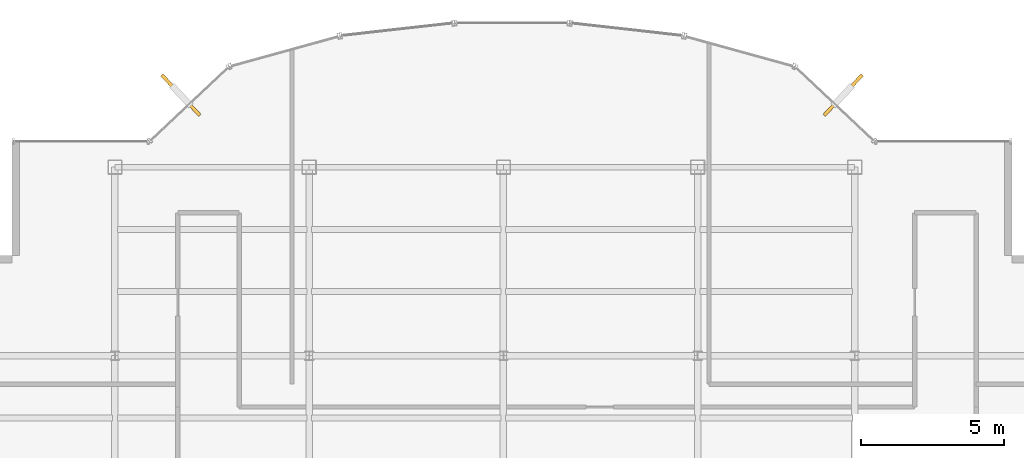
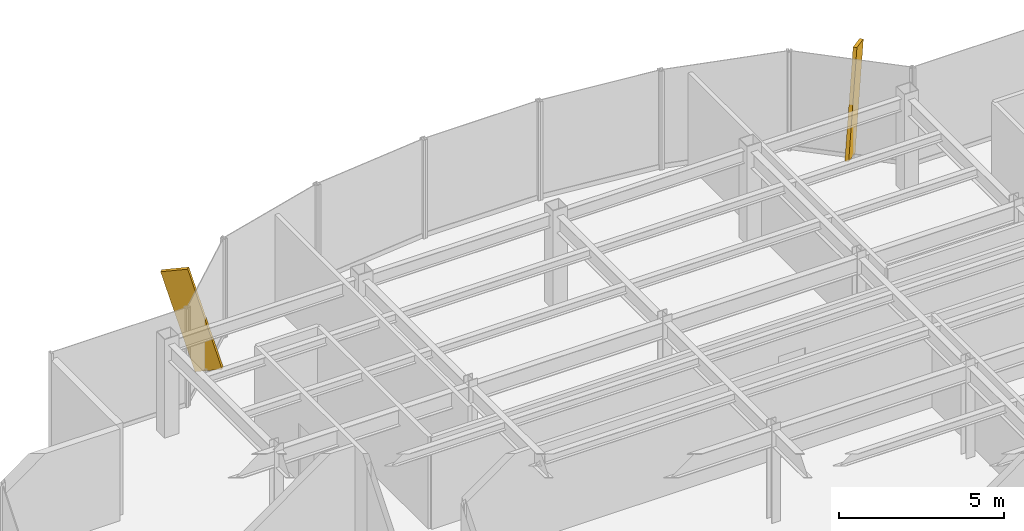
# One storey, part 21 of 22: 2 shading devices.
"""IFC4 building model written with IfcOpenShell, lengths in metres."""

from ifc_helpers import new_model, si_unit, derived_unit, direction, frame, origin, origin_2d, place, context, subcontext, project, spatial, rectangle, extrude, source, transform, mapped, material, type_object, element, save


model = new_model("IFC4")

# Units and contexts
model_context = context("Model", 3, precision=1e-05, world=origin(), true_north=direction((0.0, 1.0)))
body_context = subcontext(model_context, "Body", "Model", "MODEL_VIEW")
ifc_project = project(units=[si_unit("LENGTHUNIT", "METRE"), si_unit("AREAUNIT", "SQUARE_METRE"), si_unit("VOLUMEUNIT", "CUBIC_METRE"), si_unit("PLANEANGLEUNIT", "RADIAN"), si_unit("MASSUNIT", "GRAM", prefix="KILO"), derived_unit("THERMALTRANSMITTANCEUNIT", [(si_unit("POWERUNIT", "WATT"), 1), (si_unit("LENGTHUNIT", "METRE"), -2), (si_unit("THERMODYNAMICTEMPERATUREUNIT", "KELVIN"), -1)])], contexts=[model_context])

# Site, building, storey
site_placement = place(None, origin())
site = spatial("IfcSite", under=ifc_project, at=site_placement, CompositionType="ELEMENT")
building_placement = place(site_placement, origin())
building = spatial("IfcBuilding", under=site, at=building_placement, Name="Skarnbrae Concourse Arena and Tower", CompositionType="ELEMENT")
storey_placement = place(building_placement, frame((0.0, 0.0, 266.10009765625)))
storey = spatial("IfcBuildingStorey", under=building, at=storey_placement, Name="L69", CompositionType="ELEMENT", Elevation=266.10009765625)

# Shading devices
ifc_material = material(Name="Bronze anodised aluminium 6063-T6", Category="aluminium")
shading_device_type = type_object("IfcShadingDeviceType", Name="SHD-BRONZE-FIN-900", PredefinedType="USERDEFINED", material=ifc_material)
shared_shape = source(origin(), body_context, "Body", "SweptSolid", [
    extrude(rectangle(XDim=0.1201171875, YDim=0.89990234375, at=origin_2d()), origin(), (0.0, 0.0, 1.0), 3.64990234375),
])
for number, where, z_axis, x_axis, name in (
    (1, (32.719482421875, 36.522705078125, 0.0830078125), (0.204517004551, 0.217255972062, 0.954448865814), (0.728131751529, -0.685437198009, 0.0), "L69 Outward-leaning bronze shading fin 08"),
    (2, (10.280517578125, 36.522705078125, 0.0830078125), (-0.204517004551, 0.217255972062, 0.954448865814), (0.728131751529, 0.685437198009, 0.0), "L69 Outward-leaning bronze shading fin 14"),
):
    element("IfcShadingDevice", number, at=place(storey_placement, frame(where, z_axis=z_axis, x_axis=x_axis)), inside=storey, type_object=shading_device_type, Name=name, ObjectType="FIN", PredefinedType="USERDEFINED", context=body_context, shape_type="MappedRepresentation", body=[
        mapped(shared_shape, transform((0.0, 0.0, 0.0))),
    ])

save(model, "model.ifc")
